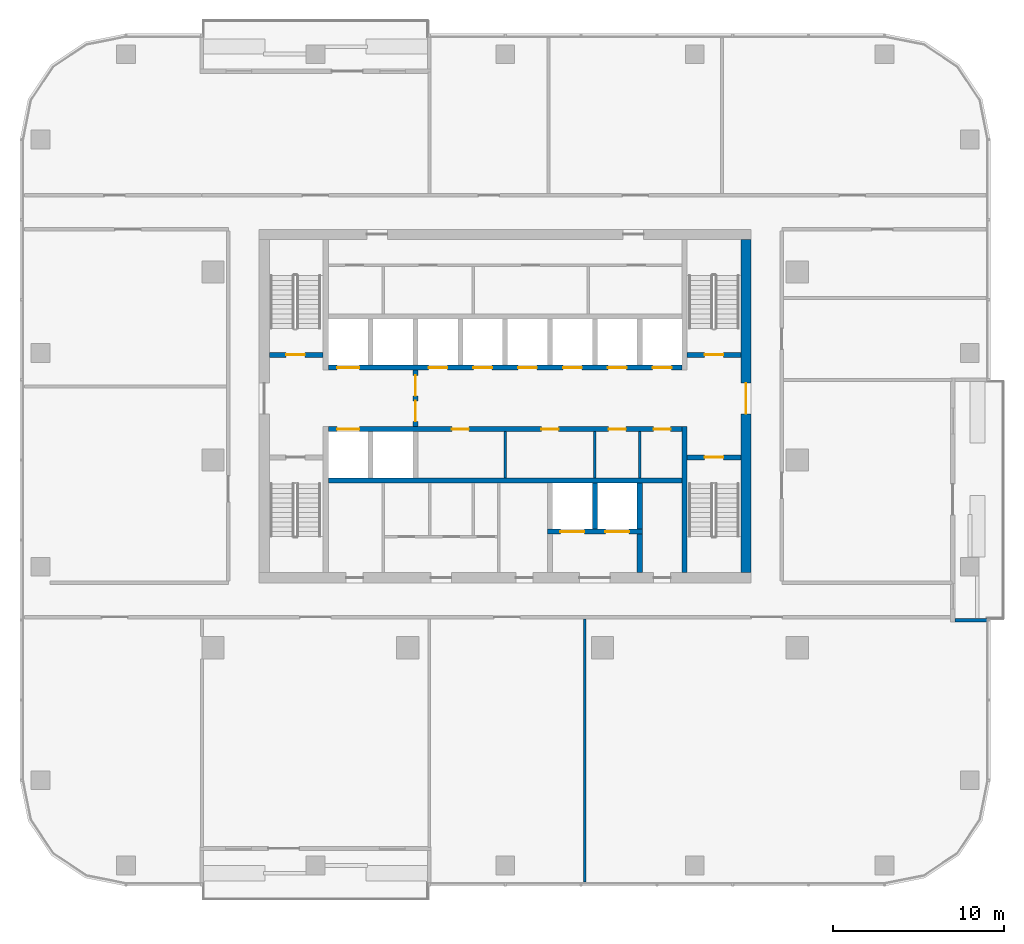
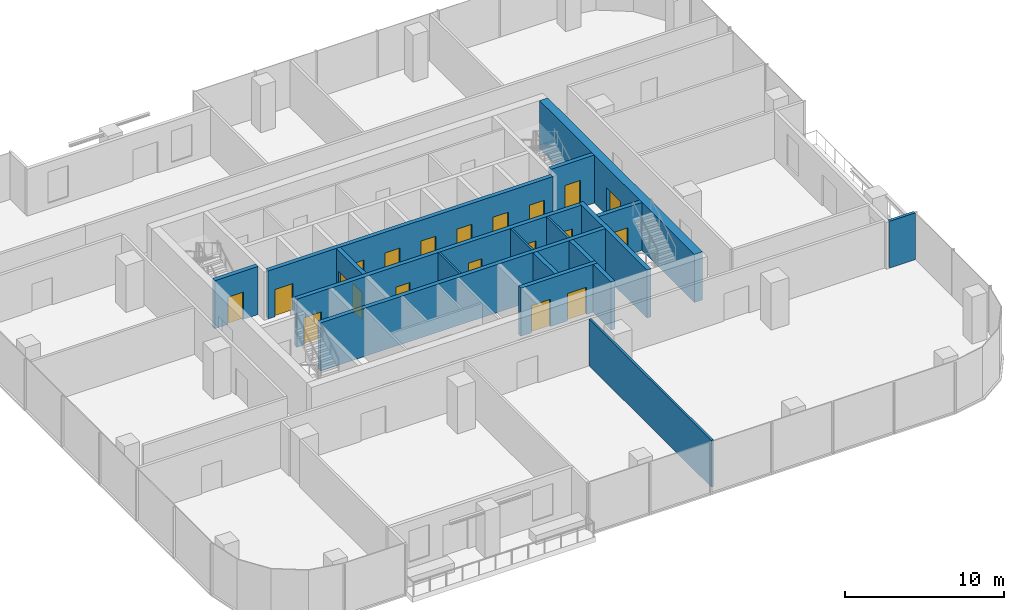
# One storey, part 8 of 14: 20 doors, 18 walls, 20 openings.
"""IFC4 building model written with IfcOpenShell, lengths in metres."""

from ifc_helpers import new_model, si_unit, direction, frame, frame_2d, origin, place, context, subcontext, project, spatial, rectangle, extrude, material, layer, layer_set, type_object, element, fill, save


model = new_model("IFC4")

# Units and contexts
model_context = context("Model", 3, precision=1e-05, world=origin(), true_north=direction((0.0, 1.0)))
body_context = subcontext(model_context, "Body", "Model", "MODEL_VIEW")
ifc_project = project(units=[si_unit("LENGTHUNIT", "METRE"), si_unit("AREAUNIT", "SQUARE_METRE"), si_unit("VOLUMEUNIT", "CUBIC_METRE"), si_unit("PLANEANGLEUNIT", "RADIAN"), si_unit("MASSUNIT", "GRAM", prefix="KILO")], contexts=[model_context])

# Site, building, storey
site_placement = place(None, origin())
site = spatial("IfcSite", under=ifc_project, at=site_placement, CompositionType="ELEMENT")
building_placement = place(site_placement, origin())
building = spatial("IfcBuilding", under=site, at=building_placement, Name="Mopane Tessera Tower", CompositionType="ELEMENT")
storey_placement = place(building_placement, frame((0.0, 0.0, 219.0)))
storey = spatial("IfcBuildingStorey", under=building, at=storey_placement, Name="L46", CompositionType="ELEMENT", Elevation=219.0)

# Walls
ifc_material_1 = material(Name="Fire-rated gypsum board partition")
ifc_layer_1 = layer(ifc_material_1, 0.14990234375)
ifc_layer_set_1 = layer_set([ifc_layer_1], Name="Fire-rated gypsum board partition")
wall_type_1 = type_object("IfcWallType", Name="Core room partition 150 mm", PredefinedType="PARTITIONING", material=ifc_layer_set_1)
for number, where, z_axis, x_axis, name in (
    (1, (0.0, -1.050048828125, 0.0), (0.0, 0.0, 1.0), (0.0, 1.0, 0.0), "L46 Room partition"),
    (2, (5.25, -1.050048828125, 0.0), (0.0, 0.0, 1.0), (0.0, 1.0, 0.0), "L46 Room partition"),
    (3, (7.875, -1.050048828125, 0.0), (0.0, 0.0, 1.0), (0.0, 1.0, 0.0), "L46 Room partition"),
):
    element("IfcWall", number, at=place(storey_placement, frame(where, z_axis=z_axis, x_axis=x_axis)), inside=storey, type_object=wall_type_1, Name=name, PredefinedType="PARTITIONING", context=body_context, shape_type="SweptSolid", body=[
        extrude(rectangle(XDim=2.699951171875, YDim=0.14990234375, at=frame_2d((1.35009765625, 0.0))), origin(), (0.0, 0.0, 1.0), 3.699951171875),
    ])

# Wall, opening, door
ifc_material_2 = material(Name="Concrete C70/85", Category="concrete")
ifc_layer_2 = layer(ifc_material_2, 0.60009765625)
ifc_layer_set_2 = layer_set([ifc_layer_2], Name="Concrete C70/85")
wall_type_2 = type_object("IfcWallType", Name="Core shear wall 600 mm", PredefinedType="SHEAR", material=ifc_layer_set_2)
wall_1_placement = place(storey_placement, frame((14.10009765625, -6.60009765625, 0.0), z_axis=(0.0, 0.0, 1.0), x_axis=(0.0, 1.0, 0.0)))
wall_1 = element("IfcWall", 4, at=wall_1_placement, inside=storey, type_object=wall_type_2, Name="L46 Core wall east", PredefinedType="SHEAR", context=body_context, shape_type="SweptSolid", body=[
    extrude(rectangle(XDim=19.5, YDim=0.60009765625, at=frame_2d((9.75, 0.0))), origin(), (0.0, 0.0, 1.0), 3.699951171875),
])
opening_1_placement = place(wall_1_placement, frame((9.300048828125, 0.0, 0.0)))
opening_1 = element("IfcOpeningElement", 5, at=opening_1_placement, cuts=wall_1, Name="Opening SD2", PredefinedType="OPENING", context=body_context, shape_type="SweptSolid", body=[
    extrude(rectangle(XDim=1.800048828125, YDim=2.10009765625, at=frame_2d((0.89990234375, 1.050048828125))), frame((0.0, 0.31201171875, 0.0), z_axis=(0.0, -1.0, 0.0), x_axis=(1.0, 0.0, 0.0)), (0.0, 0.0, 1.0), 0.6240234375),
])
ifc_material_3 = material(Name="Steel fire door", Category="steel")
door_type_1 = type_object("IfcDoorType", Name="Core entrance double door 1800 x 2100", OperationType="DOUBLE_DOOR_SINGLE_SWING", PredefinedType="DOOR", material=ifc_material_3)
door_1_placement = place(opening_1_placement, origin())
door_1 = element("IfcDoor", 6, at=door_1_placement, inside=storey, type_object=door_type_1, Name="L46 Core entrance door east", OperationType="DOUBLE_DOOR_SINGLE_SWING", OverallHeight=2.10009765625, OverallWidth=1.800048828125, PredefinedType="DOOR", context=body_context, shape_type="SweptSolid", body=[
    extrude(rectangle(XDim=1.800048828125, YDim=2.10009765625, at=frame_2d((0.89990234375, 1.050048828125))), frame((0.0, 0.02490234375, 0.0), z_axis=(0.0, -1.0, 0.0), x_axis=(1.0, 0.0, 0.0)), (0.0, 0.0, 1.0), 0.050048828125),
])
fill(opening_1, door_1)

# Walls
ifc_material_4 = material(Name="Concrete C60/75", Category="concrete")
ifc_layer_3 = layer(ifc_material_4, 0.300048828125)
ifc_layer_set_3 = layer_set([ifc_layer_3], Name="Concrete C60/75")
wall_type_3 = type_object("IfcWallType", Name="Core spine wall 300 mm", PredefinedType="SHEAR", material=ifc_layer_set_3)
wall_2_placement = place(storey_placement, frame((10.5, -6.60009765625, 0.0), z_axis=(0.0, 0.0, 1.0), x_axis=(0.0, 1.0, 0.0)))
element("IfcWall", 7, at=wall_2_placement, inside=storey, type_object=wall_type_3, Name="L46 Core spine wall", PredefinedType="SHEAR", context=body_context, shape_type="SweptSolid", body=[
    extrude(rectangle(XDim=8.550048828125, YDim=0.300048828125, at=frame_2d((4.27490234375, 0.0))), origin(), (0.0, 0.0, 1.0), 3.699951171875),
])
ifc_material_5 = material(Name="Gypsum board on steel studs, mineral wool infill", Category="steel")
ifc_layer_4 = layer(ifc_material_5, 0.14990234375)
ifc_layer_set_4 = layer_set([ifc_layer_4], Name="Gypsum board on steel studs, mineral wool infill")
wall_type_4 = type_object("IfcWallType", Name="Gypsum board partition 150, rated EI 60", PredefinedType="PARTITIONING", material=ifc_layer_set_4)
wall_3_placement = place(storey_placement, frame((4.659912109375, -24.699951171875, 0.0), z_axis=(0.0, 0.0, 1.0), x_axis=(0.0, 1.0, 0.0)))
element("IfcWall", 8, at=wall_3_placement, inside=storey, type_object=wall_type_4, Name="Partition L46:016", PredefinedType="PARTITIONING", context=body_context, shape_type="SweptSolid", body=[
    extrude(rectangle(XDim=15.39990234375, YDim=0.14990234375, at=frame_2d((7.699951171875, 0.0))), origin(), (0.0, 0.0, 1.0), 3.60009765625),
])

# Wall, opening, door
ifc_material_6 = material(Name="Concrete C50/60", Category="concrete")
ifc_layer_5 = layer(ifc_material_6, 0.300048828125)
ifc_layer_set_5 = layer_set([ifc_layer_5], Name="Concrete C50/60")
wall_type_5 = type_object("IfcWallType", Name="Lift and stair shaft wall 300 mm", PredefinedType="SOLIDWALL", material=ifc_layer_set_5)
wall_4_placement = place(storey_placement, frame((-13.800048828125, 6.14990234375, 0.0), z_axis=(0.0, 0.0, 1.0), x_axis=(1.0, 0.0, 0.0)))
wall_4 = element("IfcWall", 9, at=wall_4_placement, inside=storey, type_object=wall_type_5, Name="L46 Stair enclosure wall", PredefinedType="SOLIDWALL", context=body_context, shape_type="SweptSolid", body=[
    extrude(rectangle(XDim=3.150146484375, YDim=0.300048828125, at=frame_2d((1.5751953125, 0.0))), origin(), (0.0, 0.0, 1.0), 3.699951171875),
])
opening_2_placement = place(wall_4_placement, frame((0.97509765625, 0.0, 0.0)))
opening_2 = element("IfcOpeningElement", 10, at=opening_2_placement, cuts=wall_4, Name="Opening SD1", PredefinedType="OPENING", context=body_context, shape_type="SweptSolid", body=[
    extrude(rectangle(XDim=1.10009765625, YDim=2.10009765625, at=frame_2d((0.550048828125, 1.050048828125))), frame((0.0, 0.162109375, 0.0), z_axis=(0.0, -1.0, 0.0), x_axis=(1.0, 0.0, 0.0)), (0.0, 0.0, 1.0), 0.323974609375),
])
ifc_material_7 = material(Name="Steel fire door", Category="steel")
door_type_2 = type_object("IfcDoorType", Name="Stair fire door 1100 x 2100", OperationType="SINGLE_SWING_LEFT", PredefinedType="DOOR", material=ifc_material_7)
door_2_placement = place(opening_2_placement, origin())
door_2 = element("IfcDoor", 11, at=door_2_placement, inside=storey, type_object=door_type_2, Name="L46 Stair door ST2", OperationType="SINGLE_SWING_LEFT", OverallHeight=2.10009765625, OverallWidth=1.10009765625, PredefinedType="DOOR", context=body_context, shape_type="SweptSolid", body=[
    extrude(rectangle(XDim=1.10009765625, YDim=2.10009765625, at=frame_2d((0.550048828125, 1.050048828125))), frame((0.0, 0.02490234375, 0.0), z_axis=(0.0, -1.0, 0.0), x_axis=(1.0, 0.0, 0.0)), (0.0, 0.0, 1.0), 0.050048828125),
])
fill(opening_2, door_2)

wall_5_placement = place(storey_placement, frame((10.64990234375, 0.14990234375, 0.0), z_axis=(0.0, 0.0, 1.0), x_axis=(1.0, 0.0, 0.0)))
wall_5 = element("IfcWall", 12, at=wall_5_placement, inside=storey, type_object=wall_type_5, Name="L46 Stair enclosure wall", PredefinedType="SOLIDWALL", context=body_context, shape_type="SweptSolid", body=[
    extrude(rectangle(XDim=3.150146484375, YDim=0.300048828125, at=frame_2d((1.5751953125, 0.0))), origin(), (0.0, 0.0, 1.0), 3.699951171875),
])
opening_3_placement = place(wall_5_placement, frame((1.02490234375, 0.0, 0.0)))
opening_3 = element("IfcOpeningElement", 13, at=opening_3_placement, cuts=wall_5, Name="Opening SD1", PredefinedType="OPENING", context=body_context, shape_type="SweptSolid", body=[
    extrude(rectangle(XDim=1.10009765625, YDim=2.10009765625, at=frame_2d((0.550048828125, 1.050048828125))), frame((0.0, 0.162109375, 0.0), z_axis=(0.0, -1.0, 0.0), x_axis=(1.0, 0.0, 0.0)), (0.0, 0.0, 1.0), 0.323974609375),
])
door_3_placement = place(opening_3_placement, origin())
door_3 = element("IfcDoor", 14, at=door_3_placement, inside=storey, type_object=door_type_2, Name="L46 Stair door ST3", OperationType="SINGLE_SWING_RIGHT", OverallHeight=2.10009765625, OverallWidth=1.10009765625, PredefinedType="DOOR", context=body_context, shape_type="SweptSolid", body=[
    extrude(rectangle(XDim=1.10009765625, YDim=2.10009765625, at=frame_2d((0.550048828125, 1.050048828125))), frame((0.0, 0.02490234375, 0.0), z_axis=(0.0, -1.0, 0.0), x_axis=(1.0, 0.0, 0.0)), (0.0, 0.0, 1.0), 0.050048828125),
])
fill(opening_3, door_3)

wall_6_placement = place(storey_placement, frame((10.64990234375, 6.14990234375, 0.0), z_axis=(0.0, 0.0, 1.0), x_axis=(1.0, 0.0, 0.0)))
wall_6 = element("IfcWall", 15, at=wall_6_placement, inside=storey, type_object=wall_type_5, Name="L46 Stair enclosure wall", PredefinedType="SOLIDWALL", context=body_context, shape_type="SweptSolid", body=[
    extrude(rectangle(XDim=3.150146484375, YDim=0.300048828125, at=frame_2d((1.5751953125, 0.0))), origin(), (0.0, 0.0, 1.0), 3.699951171875),
])
opening_4_placement = place(wall_6_placement, frame((1.02490234375, 0.0, 0.0)))
opening_4 = element("IfcOpeningElement", 16, at=opening_4_placement, cuts=wall_6, Name="Opening SD1", PredefinedType="OPENING", context=body_context, shape_type="SweptSolid", body=[
    extrude(rectangle(XDim=1.10009765625, YDim=2.10009765625, at=frame_2d((0.550048828125, 1.050048828125))), frame((0.0, 0.162109375, 0.0), z_axis=(0.0, -1.0, 0.0), x_axis=(1.0, 0.0, 0.0)), (0.0, 0.0, 1.0), 0.323974609375),
])
door_4_placement = place(opening_4_placement, origin())
door_4 = element("IfcDoor", 17, at=door_4_placement, inside=storey, type_object=door_type_2, Name="L46 Stair door ST4", OperationType="SINGLE_SWING_RIGHT", OverallHeight=2.10009765625, OverallWidth=1.10009765625, PredefinedType="DOOR", context=body_context, shape_type="SweptSolid", body=[
    extrude(rectangle(XDim=1.10009765625, YDim=2.10009765625, at=frame_2d((0.550048828125, 1.050048828125))), frame((0.0, 0.02490234375, 0.0), z_axis=(0.0, -1.0, 0.0), x_axis=(1.0, 0.0, 0.0)), (0.0, 0.0, 1.0), 0.050048828125),
])
fill(opening_4, door_4)

# Wall
wall_7_placement = place(storey_placement, frame((-10.35009765625, -1.199951171875, 0.0), z_axis=(0.0, 0.0, 1.0), x_axis=(1.0, 0.0, 0.0)))
element("IfcWall", 18, at=wall_7_placement, inside=storey, type_object=wall_type_5, Name="L46 Lift shaft rear wall", PredefinedType="SOLIDWALL", context=body_context, shape_type="SweptSolid", body=[
    extrude(rectangle(XDim=20.7001953125, YDim=0.300048828125, at=frame_2d((10.35009765625, 0.0))), origin(), (0.0, 0.0, 1.0), 3.699951171875),
])

# Wall, openings, doors
wall_8_placement = place(storey_placement, frame((-10.35009765625, 1.800048828125, 0.0), z_axis=(0.0, 0.0, 1.0), x_axis=(1.0, 0.0, 0.0)))
wall_8 = element("IfcWall", 19, at=wall_8_placement, inside=storey, type_object=wall_type_5, Name="L46 Lift shaft front wall", PredefinedType="SOLIDWALL", context=body_context, shape_type="SweptSolid", body=[
    extrude(rectangle(XDim=20.7001953125, YDim=0.300048828125, at=frame_2d((10.35009765625, 0.0))), origin(), (0.0, 0.0, 1.0), 3.699951171875),
])
opening_5_placement = place(wall_8_placement, frame((0.512451171875, 0.0, 0.0)))
opening_5 = element("IfcOpeningElement", 20, at=opening_5_placement, cuts=wall_8, Name="Opening LD2", PredefinedType="OPENING", context=body_context, shape_type="SweptSolid", body=[
    extrude(rectangle(XDim=1.300048828125, YDim=2.10009765625, at=frame_2d((0.64990234375, 1.050048828125))), frame((0.0, 0.162109375, 0.0), z_axis=(0.0, -1.0, 0.0), x_axis=(1.0, 0.0, 0.0)), (0.0, 0.0, 1.0), 0.323974609375),
])
opening_6_placement = place(wall_8_placement, frame((7.22509765625, 0.0, 0.0)))
opening_6 = element("IfcOpeningElement", 21, at=opening_6_placement, cuts=wall_8, Name="Opening RD1", PredefinedType="OPENING", context=body_context, shape_type="SweptSolid", body=[
    extrude(rectangle(XDim=1.0, YDim=2.10009765625, at=frame_2d((0.5, 1.050048828125))), frame((0.0, 0.162109375, 0.0), z_axis=(0.0, -1.0, 0.0), x_axis=(1.0, 0.0, 0.0)), (0.0, 0.0, 1.0), 0.323974609375),
])
opening_7_placement = place(wall_8_placement, frame((12.47509765625, 0.0, 0.0)))
opening_7 = element("IfcOpeningElement", 22, at=opening_7_placement, cuts=wall_8, Name="Opening RD1", PredefinedType="OPENING", context=body_context, shape_type="SweptSolid", body=[
    extrude(rectangle(XDim=1.0, YDim=2.10009765625, at=frame_2d((0.5, 1.050048828125))), frame((0.0, 0.162109375, 0.0), z_axis=(0.0, -1.0, 0.0), x_axis=(1.0, 0.0, 0.0)), (0.0, 0.0, 1.0), 0.323974609375),
])
opening_8_placement = place(wall_8_placement, frame((16.41259765625, 0.0, 0.0)))
opening_8 = element("IfcOpeningElement", 23, at=opening_8_placement, cuts=wall_8, Name="Opening RD1", PredefinedType="OPENING", context=body_context, shape_type="SweptSolid", body=[
    extrude(rectangle(XDim=1.0, YDim=2.10009765625, at=frame_2d((0.5, 1.050048828125))), frame((0.0, 0.162109375, 0.0), z_axis=(0.0, -1.0, 0.0), x_axis=(1.0, 0.0, 0.0)), (0.0, 0.0, 1.0), 0.323974609375),
])
opening_9_placement = place(wall_8_placement, frame((19.03759765625, 0.0, 0.0)))
opening_9 = element("IfcOpeningElement", 24, at=opening_9_placement, cuts=wall_8, Name="Opening RD1", PredefinedType="OPENING", context=body_context, shape_type="SweptSolid", body=[
    extrude(rectangle(XDim=1.0, YDim=2.10009765625, at=frame_2d((0.5, 1.050048828125))), frame((0.0, 0.162109375, 0.0), z_axis=(0.0, -1.0, 0.0), x_axis=(1.0, 0.0, 0.0)), (0.0, 0.0, 1.0), 0.323974609375),
])
ifc_material_8 = material(Name="Timber door", Category="wood")
door_type_3 = type_object("IfcDoorType", Name="Core room door 1000 x 2100", OperationType="SINGLE_SWING_LEFT", PredefinedType="DOOR", material=ifc_material_8)
door_5_placement = place(opening_6_placement, origin())
door_5 = element("IfcDoor", 25, at=door_5_placement, inside=storey, type_object=door_type_3, Name="L46 Room door", OperationType="SINGLE_SWING_LEFT", OverallHeight=2.10009765625, OverallWidth=1.0, PredefinedType="DOOR", context=body_context, shape_type="SweptSolid", body=[
    extrude(rectangle(XDim=1.0, YDim=2.10009765625, at=frame_2d((0.5, 1.050048828125))), frame((0.0, 0.02490234375, 0.0), z_axis=(0.0, -1.0, 0.0), x_axis=(1.0, 0.0, 0.0)), (0.0, 0.0, 1.0), 0.050048828125),
])
fill(opening_6, door_5)
door_6_placement = place(opening_7_placement, origin())
door_6 = element("IfcDoor", 26, at=door_6_placement, inside=storey, type_object=door_type_3, Name="L46 Room door", OperationType="SINGLE_SWING_LEFT", OverallHeight=2.10009765625, OverallWidth=1.0, PredefinedType="DOOR", context=body_context, shape_type="SweptSolid", body=[
    extrude(rectangle(XDim=1.0, YDim=2.10009765625, at=frame_2d((0.5, 1.050048828125))), frame((0.0, 0.02490234375, 0.0), z_axis=(0.0, -1.0, 0.0), x_axis=(1.0, 0.0, 0.0)), (0.0, 0.0, 1.0), 0.050048828125),
])
fill(opening_7, door_6)
door_7_placement = place(opening_8_placement, origin())
door_7 = element("IfcDoor", 27, at=door_7_placement, inside=storey, type_object=door_type_3, Name="L46 Room door", OperationType="SINGLE_SWING_LEFT", OverallHeight=2.10009765625, OverallWidth=1.0, PredefinedType="DOOR", context=body_context, shape_type="SweptSolid", body=[
    extrude(rectangle(XDim=1.0, YDim=2.10009765625, at=frame_2d((0.5, 1.050048828125))), frame((0.0, 0.02490234375, 0.0), z_axis=(0.0, -1.0, 0.0), x_axis=(1.0, 0.0, 0.0)), (0.0, 0.0, 1.0), 0.050048828125),
])
fill(opening_8, door_7)
door_8_placement = place(opening_9_placement, origin())
door_8 = element("IfcDoor", 28, at=door_8_placement, inside=storey, type_object=door_type_3, Name="L46 Room door", OperationType="SINGLE_SWING_LEFT", OverallHeight=2.10009765625, OverallWidth=1.0, PredefinedType="DOOR", context=body_context, shape_type="SweptSolid", body=[
    extrude(rectangle(XDim=1.0, YDim=2.10009765625, at=frame_2d((0.5, 1.050048828125))), frame((0.0, 0.02490234375, 0.0), z_axis=(0.0, -1.0, 0.0), x_axis=(1.0, 0.0, 0.0)), (0.0, 0.0, 1.0), 0.050048828125),
])
fill(opening_9, door_8)
ifc_material_9 = material(Name="Stainless steel sliding door", Category="steel")
door_type_4 = type_object("IfcDoorType", Name="Fire-fighting lift landing door 1300 x 2100", OperationType="DOUBLE_DOOR_SLIDING", PredefinedType="DOOR", material=ifc_material_9)
door_9_placement = place(opening_5_placement, origin())
door_9 = element("IfcDoor", 29, at=door_9_placement, inside=storey, type_object=door_type_4, Name="L46 Lift landing door FF1", OperationType="DOUBLE_DOOR_SLIDING", OverallHeight=2.10009765625, OverallWidth=1.300048828125, PredefinedType="DOOR", context=body_context, shape_type="SweptSolid", body=[
    extrude(rectangle(XDim=1.300048828125, YDim=2.10009765625, at=frame_2d((0.64990234375, 1.050048828125))), frame((0.0, 0.02490234375, 0.0), z_axis=(0.0, -1.0, 0.0), x_axis=(1.0, 0.0, 0.0)), (0.0, 0.0, 1.0), 0.050048828125),
])
fill(opening_5, door_9)

wall_9_placement = place(storey_placement, frame((-10.35009765625, 5.39990234375, 0.0), z_axis=(0.0, 0.0, 1.0), x_axis=(1.0, 0.0, 0.0)))
wall_9 = element("IfcWall", 30, at=wall_9_placement, inside=storey, type_object=wall_type_5, Name="L46 Lift shaft front wall", PredefinedType="SOLIDWALL", context=body_context, shape_type="SweptSolid", body=[
    extrude(rectangle(XDim=20.7001953125, YDim=0.300048828125, at=frame_2d((10.35009765625, 0.0))), origin(), (0.0, 0.0, 1.0), 3.699951171875),
])
opening_10_placement = place(wall_9_placement, frame((0.512451171875, 0.0, 0.0)))
opening_10 = element("IfcOpeningElement", 31, at=opening_10_placement, cuts=wall_9, Name="Opening LD2", PredefinedType="OPENING", context=body_context, shape_type="SweptSolid", body=[
    extrude(rectangle(XDim=1.300048828125, YDim=2.10009765625, at=frame_2d((0.64990234375, 1.050048828125))), frame((0.0, 0.162109375, 0.0), z_axis=(0.0, -1.0, 0.0), x_axis=(1.0, 0.0, 0.0)), (0.0, 0.0, 1.0), 0.323974609375),
])
opening_11_placement = place(wall_9_placement, frame((5.862548828125, 0.0, 0.0)))
opening_11 = element("IfcOpeningElement", 32, at=opening_11_placement, cuts=wall_9, Name="Opening LD", PredefinedType="OPENING", context=body_context, shape_type="SweptSolid", body=[
    extrude(rectangle(XDim=1.10009765625, YDim=2.10009765625, at=frame_2d((0.550048828125, 1.050048828125))), frame((0.0, 0.162109375, 0.0), z_axis=(0.0, -1.0, 0.0), x_axis=(1.0, 0.0, 0.0)), (0.0, 0.0, 1.0), 0.323974609375),
])
opening_12_placement = place(wall_9_placement, frame((8.487548828125, 0.0, 0.0)))
opening_12 = element("IfcOpeningElement", 33, at=opening_12_placement, cuts=wall_9, Name="Opening LD", PredefinedType="OPENING", context=body_context, shape_type="SweptSolid", body=[
    extrude(rectangle(XDim=1.10009765625, YDim=2.10009765625, at=frame_2d((0.550048828125, 1.050048828125))), frame((0.0, 0.162109375, 0.0), z_axis=(0.0, -1.0, 0.0), x_axis=(1.0, 0.0, 0.0)), (0.0, 0.0, 1.0), 0.323974609375),
])
opening_13_placement = place(wall_9_placement, frame((11.112548828125, 0.0, 0.0)))
opening_13 = element("IfcOpeningElement", 34, at=opening_13_placement, cuts=wall_9, Name="Opening LD", PredefinedType="OPENING", context=body_context, shape_type="SweptSolid", body=[
    extrude(rectangle(XDim=1.10009765625, YDim=2.10009765625, at=frame_2d((0.550048828125, 1.050048828125))), frame((0.0, 0.162109375, 0.0), z_axis=(0.0, -1.0, 0.0), x_axis=(1.0, 0.0, 0.0)), (0.0, 0.0, 1.0), 0.323974609375),
])
opening_14_placement = place(wall_9_placement, frame((13.737548828125, 0.0, 0.0)))
opening_14 = element("IfcOpeningElement", 35, at=opening_14_placement, cuts=wall_9, Name="Opening LD", PredefinedType="OPENING", context=body_context, shape_type="SweptSolid", body=[
    extrude(rectangle(XDim=1.10009765625, YDim=2.10009765625, at=frame_2d((0.550048828125, 1.050048828125))), frame((0.0, 0.162109375, 0.0), z_axis=(0.0, -1.0, 0.0), x_axis=(1.0, 0.0, 0.0)), (0.0, 0.0, 1.0), 0.323974609375),
])
opening_15_placement = place(wall_9_placement, frame((16.362548828125, 0.0, 0.0)))
opening_15 = element("IfcOpeningElement", 36, at=opening_15_placement, cuts=wall_9, Name="Opening LD", PredefinedType="OPENING", context=body_context, shape_type="SweptSolid", body=[
    extrude(rectangle(XDim=1.10009765625, YDim=2.10009765625, at=frame_2d((0.550048828125, 1.050048828125))), frame((0.0, 0.162109375, 0.0), z_axis=(0.0, -1.0, 0.0), x_axis=(1.0, 0.0, 0.0)), (0.0, 0.0, 1.0), 0.323974609375),
])
opening_16_placement = place(wall_9_placement, frame((18.987548828125, 0.0, 0.0)))
opening_16 = element("IfcOpeningElement", 37, at=opening_16_placement, cuts=wall_9, Name="Opening LD", PredefinedType="OPENING", context=body_context, shape_type="SweptSolid", body=[
    extrude(rectangle(XDim=1.10009765625, YDim=2.10009765625, at=frame_2d((0.550048828125, 1.050048828125))), frame((0.0, 0.162109375, 0.0), z_axis=(0.0, -1.0, 0.0), x_axis=(1.0, 0.0, 0.0)), (0.0, 0.0, 1.0), 0.323974609375),
])
door_10_placement = place(opening_10_placement, origin())
door_10 = element("IfcDoor", 38, at=door_10_placement, inside=storey, type_object=door_type_4, Name="L46 Lift landing door FF2", OperationType="DOUBLE_DOOR_SLIDING", OverallHeight=2.10009765625, OverallWidth=1.300048828125, PredefinedType="DOOR", context=body_context, shape_type="SweptSolid", body=[
    extrude(rectangle(XDim=1.300048828125, YDim=2.10009765625, at=frame_2d((0.64990234375, 1.050048828125))), frame((0.0, 0.02490234375, 0.0), z_axis=(0.0, -1.0, 0.0), x_axis=(1.0, 0.0, 0.0)), (0.0, 0.0, 1.0), 0.050048828125),
])
fill(opening_10, door_10)
ifc_material_10 = material(Name="Stainless steel sliding door", Category="steel")
door_type_5 = type_object("IfcDoorType", Name="Lift landing door 1100 x 2100", OperationType="DOUBLE_DOOR_SLIDING", PredefinedType="DOOR", material=ifc_material_10)
door_11_placement = place(opening_11_placement, origin())
door_11 = element("IfcDoor", 39, at=door_11_placement, inside=storey, type_object=door_type_5, Name="L46 Lift landing door HR1", OperationType="DOUBLE_DOOR_SLIDING", OverallHeight=2.10009765625, OverallWidth=1.10009765625, PredefinedType="DOOR", context=body_context, shape_type="SweptSolid", body=[
    extrude(rectangle(XDim=1.10009765625, YDim=2.10009765625, at=frame_2d((0.550048828125, 1.050048828125))), frame((0.0, 0.02490234375, 0.0), z_axis=(0.0, -1.0, 0.0), x_axis=(1.0, 0.0, 0.0)), (0.0, 0.0, 1.0), 0.050048828125),
])
fill(opening_11, door_11)
door_12_placement = place(opening_12_placement, origin())
door_12 = element("IfcDoor", 40, at=door_12_placement, inside=storey, type_object=door_type_5, Name="L46 Lift landing door HR2", OperationType="DOUBLE_DOOR_SLIDING", OverallHeight=2.10009765625, OverallWidth=1.10009765625, PredefinedType="DOOR", context=body_context, shape_type="SweptSolid", body=[
    extrude(rectangle(XDim=1.10009765625, YDim=2.10009765625, at=frame_2d((0.550048828125, 1.050048828125))), frame((0.0, 0.02490234375, 0.0), z_axis=(0.0, -1.0, 0.0), x_axis=(1.0, 0.0, 0.0)), (0.0, 0.0, 1.0), 0.050048828125),
])
fill(opening_12, door_12)
door_13_placement = place(opening_13_placement, origin())
door_13 = element("IfcDoor", 41, at=door_13_placement, inside=storey, type_object=door_type_5, Name="L46 Lift landing door HR3", OperationType="DOUBLE_DOOR_SLIDING", OverallHeight=2.10009765625, OverallWidth=1.10009765625, PredefinedType="DOOR", context=body_context, shape_type="SweptSolid", body=[
    extrude(rectangle(XDim=1.10009765625, YDim=2.10009765625, at=frame_2d((0.550048828125, 1.050048828125))), frame((0.0, 0.02490234375, 0.0), z_axis=(0.0, -1.0, 0.0), x_axis=(1.0, 0.0, 0.0)), (0.0, 0.0, 1.0), 0.050048828125),
])
fill(opening_13, door_13)
door_14_placement = place(opening_14_placement, origin())
door_14 = element("IfcDoor", 42, at=door_14_placement, inside=storey, type_object=door_type_5, Name="L46 Lift landing door HR4", OperationType="DOUBLE_DOOR_SLIDING", OverallHeight=2.10009765625, OverallWidth=1.10009765625, PredefinedType="DOOR", context=body_context, shape_type="SweptSolid", body=[
    extrude(rectangle(XDim=1.10009765625, YDim=2.10009765625, at=frame_2d((0.550048828125, 1.050048828125))), frame((0.0, 0.02490234375, 0.0), z_axis=(0.0, -1.0, 0.0), x_axis=(1.0, 0.0, 0.0)), (0.0, 0.0, 1.0), 0.050048828125),
])
fill(opening_14, door_14)
door_15_placement = place(opening_15_placement, origin())
door_15 = element("IfcDoor", 43, at=door_15_placement, inside=storey, type_object=door_type_5, Name="L46 Lift landing door HR5", OperationType="DOUBLE_DOOR_SLIDING", OverallHeight=2.10009765625, OverallWidth=1.10009765625, PredefinedType="DOOR", context=body_context, shape_type="SweptSolid", body=[
    extrude(rectangle(XDim=1.10009765625, YDim=2.10009765625, at=frame_2d((0.550048828125, 1.050048828125))), frame((0.0, 0.02490234375, 0.0), z_axis=(0.0, -1.0, 0.0), x_axis=(1.0, 0.0, 0.0)), (0.0, 0.0, 1.0), 0.050048828125),
])
fill(opening_15, door_15)
door_16_placement = place(opening_16_placement, origin())
door_16 = element("IfcDoor", 44, at=door_16_placement, inside=storey, type_object=door_type_5, Name="L46 Lift landing door HR6", OperationType="DOUBLE_DOOR_SLIDING", OverallHeight=2.10009765625, OverallWidth=1.10009765625, PredefinedType="DOOR", context=body_context, shape_type="SweptSolid", body=[
    extrude(rectangle(XDim=1.10009765625, YDim=2.10009765625, at=frame_2d((0.550048828125, 1.050048828125))), frame((0.0, 0.02490234375, 0.0), z_axis=(0.0, -1.0, 0.0), x_axis=(1.0, 0.0, 0.0)), (0.0, 0.0, 1.0), 0.050048828125),
])
fill(opening_16, door_16)

wall_10_placement = place(storey_placement, frame((2.47509765625, -4.199951171875, 0.0), z_axis=(0.0, 0.0, 1.0), x_axis=(1.0, 0.0, 0.0)))
wall_10 = element("IfcWall", 45, at=wall_10_placement, inside=storey, type_object=wall_type_5, Name="L46 Lift shaft front wall", PredefinedType="SOLIDWALL", context=body_context, shape_type="SweptSolid", body=[
    extrude(rectangle(XDim=5.5498046875, YDim=0.300048828125, at=frame_2d((2.77490234375, 0.0))), origin(), (0.0, 0.0, 1.0), 3.699951171875),
])
opening_17_placement = place(wall_10_placement, frame((0.762451171875, 0.0, 0.0)))
opening_17 = element("IfcOpeningElement", 46, at=opening_17_placement, cuts=wall_10, Name="Opening LD3", PredefinedType="OPENING", context=body_context, shape_type="SweptSolid", body=[
    extrude(rectangle(XDim=1.39990234375, YDim=2.10009765625, at=frame_2d((0.699951171875, 1.050048828125))), frame((0.0, 0.162109375, 0.0), z_axis=(0.0, -1.0, 0.0), x_axis=(1.0, 0.0, 0.0)), (0.0, 0.0, 1.0), 0.323974609375),
])
opening_18_placement = place(wall_10_placement, frame((3.387451171875, 0.0, 0.0)))
opening_18 = element("IfcOpeningElement", 47, at=opening_18_placement, cuts=wall_10, Name="Opening LD3", PredefinedType="OPENING", context=body_context, shape_type="SweptSolid", body=[
    extrude(rectangle(XDim=1.39990234375, YDim=2.10009765625, at=frame_2d((0.699951171875, 1.050048828125))), frame((0.0, 0.162109375, 0.0), z_axis=(0.0, -1.0, 0.0), x_axis=(1.0, 0.0, 0.0)), (0.0, 0.0, 1.0), 0.323974609375),
])
ifc_material_11 = material(Name="Stainless steel sliding door", Category="steel")
door_type_6 = type_object("IfcDoorType", Name="Service lift landing door 1400 x 2100", OperationType="DOUBLE_DOOR_SLIDING", PredefinedType="DOOR", material=ifc_material_11)
door_17_placement = place(opening_17_placement, origin())
door_17 = element("IfcDoor", 48, at=door_17_placement, inside=storey, type_object=door_type_6, Name="L46 Lift landing door SV1", OperationType="DOUBLE_DOOR_SLIDING", OverallHeight=2.10009765625, OverallWidth=1.39990234375, PredefinedType="DOOR", context=body_context, shape_type="SweptSolid", body=[
    extrude(rectangle(XDim=1.39990234375, YDim=2.10009765625, at=frame_2d((0.699951171875, 1.050048828125))), frame((0.0, 0.02490234375, 0.0), z_axis=(0.0, -1.0, 0.0), x_axis=(1.0, 0.0, 0.0)), (0.0, 0.0, 1.0), 0.050048828125),
])
fill(opening_17, door_17)
door_18_placement = place(opening_18_placement, origin())
door_18 = element("IfcDoor", 49, at=door_18_placement, inside=storey, type_object=door_type_6, Name="L46 Lift landing door SV2", OperationType="DOUBLE_DOOR_SLIDING", OverallHeight=2.10009765625, OverallWidth=1.39990234375, PredefinedType="DOOR", context=body_context, shape_type="SweptSolid", body=[
    extrude(rectangle(XDim=1.39990234375, YDim=2.10009765625, at=frame_2d((0.699951171875, 1.050048828125))), frame((0.0, 0.02490234375, 0.0), z_axis=(0.0, -1.0, 0.0), x_axis=(1.0, 0.0, 0.0)), (0.0, 0.0, 1.0), 0.050048828125),
])
fill(opening_18, door_18)

# Walls
for number, where, z_axis, x_axis, name in (
    (50, (5.25, -4.050048828125, 0.0), (0.0, 0.0, 1.0), (0.0, 1.0, 0.0), "L46 Lift shaft wall"),
    (51, (7.875, -4.050048828125, 0.0), (0.0, 0.0, 1.0), (0.0, 1.0, 0.0), "L46 Lift shaft wall"),
):
    element("IfcWall", number, at=place(storey_placement, frame(where, z_axis=z_axis, x_axis=x_axis)), inside=storey, type_object=wall_type_5, Name=name, PredefinedType="SOLIDWALL", context=body_context, shape_type="SweptSolid", body=[
        extrude(rectangle(XDim=2.699951171875, YDim=0.300048828125, at=frame_2d((1.35009765625, 0.0))), origin(), (0.0, 0.0, 1.0), 3.699951171875),
    ])

# Wall, openings, doors
ifc_material_12 = material(Name="Concrete C50/60", Category="concrete")
ifc_layer_6 = layer(ifc_material_12, 0.300048828125)
ifc_layer_set_6 = layer_set([ifc_layer_6], Name="Concrete C50/60")
wall_type_6 = type_object("IfcWallType", Name="Lobby and refuge room wall 300 mm", PredefinedType="SOLIDWALL", material=ifc_layer_set_6)
wall_11_placement = place(storey_placement, frame((-5.25, 1.949951171875, 0.0), z_axis=(0.0, 0.0, 1.0), x_axis=(0.0, 1.0, 0.0)))
wall_11 = element("IfcWall", 52, at=wall_11_placement, inside=storey, type_object=wall_type_6, Name="L46 Fire-fighting lobby wall", PredefinedType="SOLIDWALL", context=body_context, shape_type="SweptSolid", body=[
    extrude(rectangle(XDim=3.300048828125, YDim=0.300048828125, at=frame_2d((1.64990234375, 0.0))), origin(), (0.0, 0.0, 1.0), 3.699951171875),
])
opening_19_placement = place(wall_11_placement, frame((0.300048828125, 0.0, 0.0)))
opening_19 = element("IfcOpeningElement", 53, at=opening_19_placement, cuts=wall_11, Name="Opening SD3", PredefinedType="OPENING", context=body_context, shape_type="SweptSolid", body=[
    extrude(rectangle(XDim=1.199951171875, YDim=2.10009765625, at=frame_2d((0.60009765625, 1.050048828125))), frame((0.0, 0.162109375, 0.0), z_axis=(0.0, -1.0, 0.0), x_axis=(1.0, 0.0, 0.0)), (0.0, 0.0, 1.0), 0.323974609375),
])
opening_20_placement = place(wall_11_placement, frame((1.800048828125, 0.0, 0.0)))
opening_20 = element("IfcOpeningElement", 54, at=opening_20_placement, cuts=wall_11, Name="Opening SD3", PredefinedType="OPENING", context=body_context, shape_type="SweptSolid", body=[
    extrude(rectangle(XDim=1.199951171875, YDim=2.10009765625, at=frame_2d((0.60009765625, 1.050048828125))), frame((0.0, 0.162109375, 0.0), z_axis=(0.0, -1.0, 0.0), x_axis=(1.0, 0.0, 0.0)), (0.0, 0.0, 1.0), 0.323974609375),
])
ifc_material_13 = material(Name="Steel fire door", Category="steel")
door_type_7 = type_object("IfcDoorType", Name="Lobby fire door 1200 x 2100", OperationType="SINGLE_SWING_LEFT", PredefinedType="DOOR", material=ifc_material_13)
door_19_placement = place(opening_19_placement, origin())
door_19 = element("IfcDoor", 55, at=door_19_placement, inside=storey, type_object=door_type_7, Name="L46 Fire-fighting lobby door", OperationType="SINGLE_SWING_LEFT", OverallHeight=2.10009765625, OverallWidth=1.199951171875, PredefinedType="DOOR", context=body_context, shape_type="SweptSolid", body=[
    extrude(rectangle(XDim=1.199951171875, YDim=2.10009765625, at=frame_2d((0.60009765625, 1.050048828125))), frame((0.0, 0.02490234375, 0.0), z_axis=(0.0, -1.0, 0.0), x_axis=(1.0, 0.0, 0.0)), (0.0, 0.0, 1.0), 0.050048828125),
])
fill(opening_19, door_19)
door_20_placement = place(opening_20_placement, origin())
door_20 = element("IfcDoor", 56, at=door_20_placement, inside=storey, type_object=door_type_7, Name="L46 Fire-fighting lobby door", OperationType="SINGLE_SWING_RIGHT", OverallHeight=2.10009765625, OverallWidth=1.199951171875, PredefinedType="DOOR", context=body_context, shape_type="SweptSolid", body=[
    extrude(rectangle(XDim=1.199951171875, YDim=2.10009765625, at=frame_2d((0.60009765625, 1.050048828125))), frame((0.0, 0.02490234375, 0.0), z_axis=(0.0, -1.0, 0.0), x_axis=(1.0, 0.0, 0.0)), (0.0, 0.0, 1.0), 0.050048828125),
])
fill(opening_20, door_20)

# Walls
wall_12_placement = place(storey_placement, frame((7.875, -6.60009765625, 0.0), z_axis=(0.0, 0.0, 1.0), x_axis=(0.0, 1.0, 0.0)))
element("IfcWall", 57, at=wall_12_placement, inside=storey, type_object=wall_type_6, Name="L46 Service lobby wall", PredefinedType="SOLIDWALL", context=body_context, shape_type="SweptSolid", body=[
    extrude(rectangle(XDim=2.25, YDim=0.300048828125, at=frame_2d((1.125, 0.0))), origin(), (0.0, 0.0, 1.0), 3.699951171875),
])
ifc_material_14 = material(Name="Blockwork with glazed tile facing", Category="masonry")
ifc_layer_7 = layer(ifc_material_14, 0.199951171875)
ifc_layer_set_7 = layer_set([ifc_layer_7], Name="Blockwork with glazed tile facing")
wall_type_7 = type_object("IfcWallType", Name="Terrace cheek wall 200", PredefinedType="STANDARD", material=ifc_layer_set_7)
wall_13_placement = place(storey_placement, frame((28.199951171875, -9.375, 0.0), z_axis=(0.0, 0.0, 1.0), x_axis=(-1.0, 0.0, 0.0)))
element("IfcWall", 58, at=wall_13_placement, inside=storey, type_object=wall_type_7, Name="e:nw:L46:N2:cheeka", PredefinedType="STANDARD", context=body_context, shape_type="SweptSolid", body=[
    extrude(rectangle(XDim=1.875, YDim=0.199951171875, at=frame_2d((0.9375, 0.0))), origin(), (0.0, 0.0, 1.0), 3.60009765625),
])

save(model, "model.ifc")
